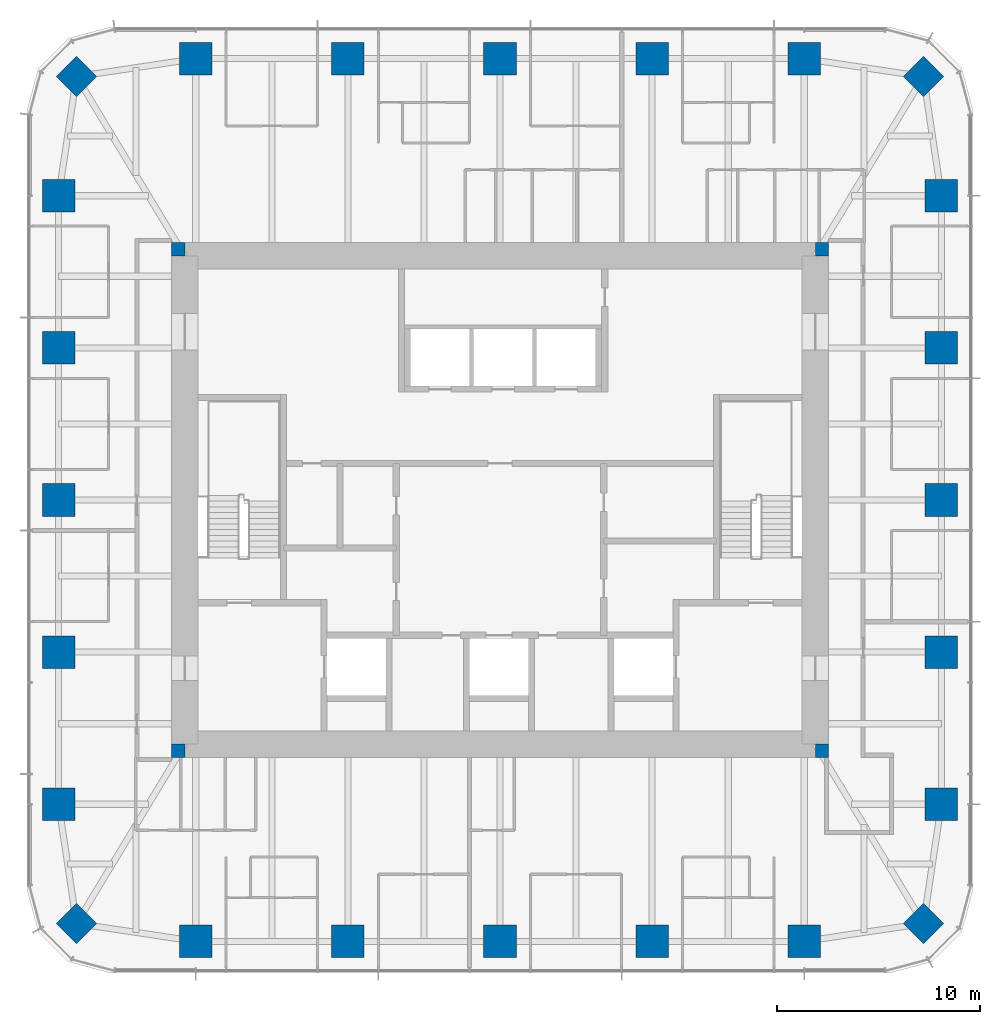
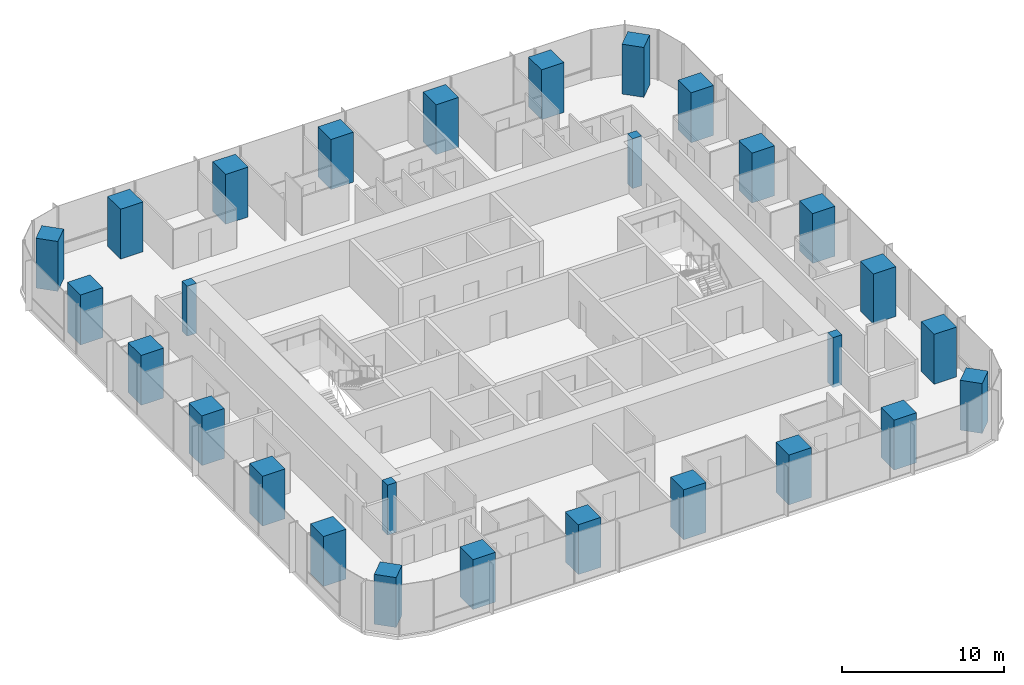
# One storey, part 1 of 12: 28 columns.
"""IFC4 building model written with IfcOpenShell, lengths in metres."""

import ifcopenshell
import ifcopenshell.guid

model = None  # the IFC model being written
_history = None  # IfcOwnerHistory: only IFC2X3 demands one
_inside = {}  # id of a spatial element -> (the spatial element, [elements in it])
_under = {}  # id of a project, library or spatial element -> (it, [spatial elements below it])
_declared = {}  # id of a project -> (the project, [libraries it declares])
_typed = {}  # id of a type object -> (the type object, [elements of that type])
_made_of = {}  # id of a material, layer set ... -> (it, [elements and type objects made of it])


def new_model(schema):
    """Start an empty IFC model of exactly this schema.

    Asked for "IFC4X3", IfcOpenShell would pick the latest addendum, in which some entities
    have other attributes; the version numbers below select the first issue.
    IFC2X3 requires an IfcOwnerHistory on every rooted entity: one is made here for all.
    """
    global model, _history
    if schema == "IFC4X3":
        model = ifcopenshell.file(schema_version=(4, 3, 0, 0))
    else:
        model = ifcopenshell.file(schema=schema)
    _inside.clear()
    _under.clear()
    _declared.clear()
    _typed.clear()
    _made_of.clear()
    _history = None
    if model.schema == "IFC2X3":
        org = make("IfcOrganization", Name="unknown")
        user = make(
            "IfcPersonAndOrganization",
            ThePerson=make("IfcPerson", FamilyName="unknown"),
            TheOrganization=org,
        )
        app = make(
            "IfcApplication",
            ApplicationDeveloper=org,
            Version="unknown",
            ApplicationFullName="unknown",
            ApplicationIdentifier="unknown",
        )
        _history = make(
            "IfcOwnerHistory",
            OwningUser=user,
            OwningApplication=app,
            ChangeAction="ADDED",
            CreationDate=0,
        )
    return model


def make(cls, **values):
    """One entity of the class cls with the attributes given. An attribute that is None is left unset."""
    return model.create_entity(
        cls, **{name: value for name, value in values.items() if value is not None}
    )


def rooted(cls, **values):
    """An entity with a GlobalId (a new one), such as an element, a storey or a relation."""
    return make(cls, GlobalId=ifcopenshell.guid.new(), OwnerHistory=_history, **values)


def si_unit(unit_type, name, prefix=None):
    """IfcSIUnit, for example si_unit("LENGTHUNIT", "METRE", prefix="MILLI")."""
    return make("IfcSIUnit", UnitType=unit_type, Prefix=prefix, Name=name)


def assignment(units):
    """IfcUnitAssignment: the units of a project."""
    return None if units is None else make("IfcUnitAssignment", Units=units)


def point(xyz):
    """IfcCartesianPoint."""
    return None if xyz is None else make("IfcCartesianPoint", Coordinates=xyz)


def direction(xyz):
    """IfcDirection."""
    return None if xyz is None else make("IfcDirection", DirectionRatios=xyz)


def frame(location, z_axis=None, x_axis=None):
    """IfcAxis2Placement3D, a coordinate frame: its origin and axes. An axis left out is left unset."""
    return make(
        "IfcAxis2Placement3D",
        Location=point(location),
        Axis=direction(z_axis),
        RefDirection=direction(x_axis),
    )


def frame_2d(location, x_axis=None):
    """IfcAxis2Placement2D, a coordinate frame in the plane: its origin and x axis."""
    return make(
        "IfcAxis2Placement2D", Location=point(location), RefDirection=direction(x_axis)
    )


def origin():
    """The frame at (0, 0, 0) with its axes left unset."""
    return frame((0.0, 0.0, 0.0))


def origin_2d():
    """The frame at (0, 0) in the plane with its x axis left unset."""
    return frame_2d((0.0, 0.0))


def place(relative_to, where):
    """IfcLocalPlacement: puts the frame where relative to a parent placement (None: the world)."""
    return make(
        "IfcLocalPlacement", PlacementRelTo=relative_to, RelativePlacement=where
    )


def context(
    kind, dimensions, precision=None, world=None, true_north=None, identifier=None
):
    """IfcGeometricRepresentationContext, for example the 3D "Model" context."""
    return make(
        "IfcGeometricRepresentationContext",
        ContextIdentifier=identifier,
        ContextType=kind,
        CoordinateSpaceDimension=dimensions,
        Precision=precision,
        WorldCoordinateSystem=world,
        TrueNorth=true_north,
    )


def subcontext(parent, identifier, kind, view, scale=None):
    """IfcGeometricRepresentationSubContext, for example "Body" below "Model"."""
    return make(
        "IfcGeometricRepresentationSubContext",
        ContextIdentifier=identifier,
        ContextType=kind,
        ParentContext=parent,
        TargetScale=scale,
        TargetView=view,
    )


def project(units=None, contexts=None):
    """IfcProject with its units and contexts."""
    return rooted(
        "IfcProject",
        Name="project",
        RepresentationContexts=contexts,
        UnitsInContext=assignment(units),
    )


def spatial(cls, under=None, at=None, **own):
    """A site, building, storey or space (cls), placed at a placement, below another one or the project."""
    s = rooted(cls, ObjectPlacement=at, **own)
    if under is not None:
        _under.setdefault(under.id(), (under, []))[1].append(s)
    return s


def profile(cls, at=None, kind="AREA", **sizes):
    """A parametric profile (cls). Its sizes go by their IFC names, for example OverallWidth=200.0."""
    return make(cls, ProfileType=kind, Position=at, **sizes)


def rectangle(**sizes):
    """IfcRectangleProfileDef."""
    return profile("IfcRectangleProfileDef", **sizes)


def extrude(swept, where, along, depth):
    """IfcExtrudedAreaSolid: the profile swept, set in the frame where, extruded along a direction by depth."""
    return make(
        "IfcExtrudedAreaSolid",
        SweptArea=swept,
        Position=where,
        ExtrudedDirection=direction(along),
        Depth=depth,
    )


def shape(context_of_items, identifier, shape_type, items):
    """IfcShapeRepresentation: the items that make up one representation, for example the "Body"."""
    return make(
        "IfcShapeRepresentation",
        ContextOfItems=context_of_items,
        RepresentationIdentifier=identifier,
        RepresentationType=shape_type,
        Items=items,
    )


def material(Name=None, Category=None):
    """IfcMaterial."""
    return make("IfcMaterial", Name=Name, Category=Category)


def material_profile(
    of_material, cross_section, Name=None, Category=None, Priority=None
):
    """IfcMaterialProfile: a cross section and its material."""
    return make(
        "IfcMaterialProfile",
        Name=Name,
        Material=of_material,
        Profile=cross_section,
        Priority=Priority,
        Category=Category,
    )


def profile_set(profiles, Name=None, composite=None):
    """IfcMaterialProfileSet."""
    return make(
        "IfcMaterialProfileSet",
        Name=Name,
        MaterialProfiles=profiles,
        CompositeProfile=composite,
    )


def made_of(thing, what):
    """Note that an element or type object is made of a material, layer set ...; save() writes the relation."""
    if what is not None:
        _made_of.setdefault(what.id(), (what, []))[1].append(thing)
    return thing


def type_object(cls, material=None, **own):
    """A type object (cls), such as IfcWallType, which elements share."""
    return made_of(rooted(cls, **own), material)


def element(
    cls,
    number,
    at=None,
    inside=None,
    cuts=None,
    type_object=None,
    material=None,
    context=None,
    identifier="Body",
    shape_type=None,
    held_by="IfcProductDefinitionShape",
    body=None,
    shapes=None,
    **own,
):
    """One element of the class cls, such as IfcWall. Its Tag is "e" and its number.

    at: its placement. inside: the storey or other place that contains it. cuts: it is an
    opening in that element (IfcRelVoidsElement). A single representation is given by context,
    identifier, shape_type and body (its items); several are given by shapes. held_by: the class
    of the entity that holds the representations. save() writes the other relations.
    """
    e = rooted(cls, Tag="e%d" % number, ObjectPlacement=at, **own)
    if body is not None:
        shapes = [shape(context, identifier, shape_type, body)]
    if shapes is not None:
        e.Representation = make(held_by, Representations=shapes)
    if inside is not None:
        _inside.setdefault(inside.id(), (inside, []))[1].append(e)
    if cuts is not None:
        rooted(
            "IfcRelVoidsElement", RelatingBuildingElement=cuts, RelatedOpeningElement=e
        )
    if type_object is not None:
        _typed.setdefault(type_object.id(), (type_object, []))[1].append(e)
    return made_of(e, material)


def aggregate(whole, parts):
    """IfcRelAggregates: a whole, such as a stair, and the parts it consists of."""
    return rooted("IfcRelAggregates", RelatingObject=whole, RelatedObjects=parts)


def save(model, path):
    """Write the relations noted so far, then the file.

    IfcRelAggregates (storeys below a building ...), IfcRelContainedInSpatialStructure (elements
    in a storey), IfcRelDefinesByType, IfcRelAssociatesMaterial and IfcRelDeclares: one each for
    every whole, place, type object, material and project.
    """
    for whole, parts in _under.values():
        aggregate(whole, parts)
    for where, things in _inside.values():
        rooted(
            "IfcRelContainedInSpatialStructure",
            RelatedElements=things,
            RelatingStructure=where,
        )
    for kind, things in _typed.values():
        rooted("IfcRelDefinesByType", RelatedObjects=things, RelatingType=kind)
    for what, things in _made_of.values():
        rooted("IfcRelAssociatesMaterial", RelatedObjects=things, RelatingMaterial=what)
    for by, libraries in _declared.values():
        rooted("IfcRelDeclares", RelatingContext=by, RelatedDefinitions=libraries)
    model.write(path)


model = new_model("IFC4")

# Units and contexts
model_context = context("Model", 3, precision=1e-05, world=origin(), true_north=direction((0.0, 1.0)))
body_context = subcontext(model_context, "Body", "Model", "MODEL_VIEW")
ifc_project = project(units=[si_unit("LENGTHUNIT", "METRE"), si_unit("AREAUNIT", "SQUARE_METRE"), si_unit("VOLUMEUNIT", "CUBIC_METRE"), si_unit("PLANEANGLEUNIT", "RADIAN"), si_unit("MASSUNIT", "GRAM", prefix="KILO")], contexts=[model_context])

# Site, building, storey
site_placement = place(None, origin())
site = spatial("IfcSite", under=ifc_project, at=site_placement, CompositionType="ELEMENT")
building_placement = place(site_placement, origin())
building = spatial("IfcBuilding", under=site, at=building_placement, Name="Khuree Lantern Residences", CompositionType="ELEMENT")
storey_placement = place(building_placement, frame((0.0, 0.0, 330.75)))
storey = spatial("IfcBuildingStorey", under=building, at=storey_placement, Name="L83", CompositionType="ELEMENT", Elevation=330.75)

# Columns
ifc_material_1 = material(Name="Concrete C70/85", Category="concrete")
ifc_material_profile_1 = material_profile(ifc_material_1, rectangle(XDim=1.39990234375, YDim=1.39990234375, at=origin_2d()), Name="RC 1400X1400")
ifc_profile_set_1 = profile_set([ifc_material_profile_1], Name="Concrete C70/85")
column_type_1 = type_object("IfcColumnType", Name="CC1400 PERIMETER CORNER COLUMN RC 1400X1400", PredefinedType="COLUMN", material=ifc_profile_set_1)
for number, where, z_axis, x_axis, name in (
    (1, (20.8212890625, 20.8212890625, 0.0), (0.0, 0.0, 1.0), (0.707106781187, -0.707106781187, 0.0), "Perimeter column NE"),
    (2, (20.8212890625, -20.8212890625, 0.0), (0.0, 0.0, 1.0), (0.707106781187, 0.707106781187, 0.0), "Perimeter column SE"),
    (3, (-20.8212890625, -20.8212890625, 0.0), (0.0, 0.0, 1.0), (0.707106781187, -0.707106781187, 0.0), "Perimeter column SW"),
    (4, (-20.8212890625, 20.8212890625, 0.0), (0.0, 0.0, 1.0), (0.707106781187, 0.707106781187, 0.0), "Perimeter column NW"),
):
    element("IfcColumn", number, at=place(storey_placement, frame(where, z_axis=z_axis, x_axis=x_axis)), inside=storey, type_object=column_type_1, Name=name, PredefinedType="COLUMN", context=body_context, shape_type="SweptSolid", body=[
        extrude(rectangle(XDim=1.39990234375, YDim=1.39990234375, at=origin_2d()), origin(), (0.0, 0.0, 1.0), 3.75),
    ])
ifc_material_2 = material(Name="Concrete C50/60", Category="concrete")
ifc_material_profile_2 = material_profile(ifc_material_2, rectangle(XDim=0.64990234375, YDim=0.64990234375, at=origin_2d()), Name="RC 650X650")
ifc_profile_set_2 = profile_set([ifc_material_profile_2], Name="Concrete C50/60")
column_type_2 = type_object("IfcColumnType", Name="CP650-C50 CORE CORNER PIER C50 RC 650X650", PredefinedType="COLUMN", material=ifc_profile_set_2)
for number, where, z_axis, x_axis, name in (
    (5, (15.824951171875, 12.324951171875, -0.25), (0.0, 0.0, 1.0), (1.0, 0.0, 0.0), "Core corner pier NE"),
    (6, (-15.824951171875, 12.324951171875, -0.25), (0.0, 0.0, 1.0), (1.0, 0.0, 0.0), "Core corner pier NW"),
    (7, (-15.824951171875, -12.324951171875, -0.25), (0.0, 0.0, 1.0), (1.0, 0.0, 0.0), "Core corner pier SW"),
    (8, (15.824951171875, -12.324951171875, -0.25), (0.0, 0.0, 1.0), (1.0, 0.0, 0.0), "Core corner pier SE"),
):
    element("IfcColumn", number, at=place(storey_placement, frame(where, z_axis=z_axis, x_axis=x_axis)), inside=storey, type_object=column_type_2, Name=name, PredefinedType="COLUMN", context=body_context, shape_type="SweptSolid", body=[
        extrude(rectangle(XDim=0.64990234375, YDim=0.64990234375, at=origin_2d()), origin(), (0.0, 0.0, 1.0), 3.75),
    ])
ifc_material_profile_3 = material_profile(ifc_material_1, rectangle(XDim=1.60009765625, YDim=1.60009765625, at=origin_2d()), Name="RC 1600X1600")
ifc_profile_set_3 = profile_set([ifc_material_profile_3], Name="Concrete C70/85")
column_type_3 = type_object("IfcColumnType", Name="PC5 PERIMETER COLUMN RC 1600X1600", PredefinedType="COLUMN", material=ifc_profile_set_3)
for number, where, z_axis, x_axis, name in (
    (9, (-14.9599609375, 21.699951171875, 0.0), (0.0, 0.0, 1.0), (1.0, 0.0, 0.0), "Perimeter column N1"),
    (10, (-7.47998046875, 21.699951171875, 0.0), (0.0, 0.0, 1.0), (1.0, 0.0, 0.0), "Perimeter column N2"),
    (11, (0.0, 21.699951171875, 0.0), (0.0, 0.0, 1.0), (1.0, 0.0, 0.0), "Perimeter column N3"),
    (12, (7.47998046875, 21.699951171875, 0.0), (0.0, 0.0, 1.0), (1.0, 0.0, 0.0), "Perimeter column N4"),
    (13, (14.9599609375, 21.699951171875, 0.0), (0.0, 0.0, 1.0), (1.0, 0.0, 0.0), "Perimeter column N5"),
    (14, (21.699951171875, 14.9599609375, 0.0), (0.0, 0.0, 1.0), (0.0, 1.0, 0.0), "Perimeter column E1"),
    (15, (21.699951171875, 7.47998046875, 0.0), (0.0, 0.0, 1.0), (0.0, 1.0, 0.0), "Perimeter column E2"),
    (16, (21.699951171875, 0.0, 0.0), (0.0, 0.0, 1.0), (0.0, 1.0, 0.0), "Perimeter column E3"),
    (17, (21.699951171875, -7.47998046875, 0.0), (0.0, 0.0, 1.0), (0.0, 1.0, 0.0), "Perimeter column E4"),
    (18, (21.699951171875, -14.9599609375, 0.0), (0.0, 0.0, 1.0), (0.0, 1.0, 0.0), "Perimeter column E5"),
    (19, (14.9599609375, -21.699951171875, 0.0), (0.0, 0.0, 1.0), (1.0, 0.0, 0.0), "Perimeter column S1"),
    (20, (7.47998046875, -21.699951171875, 0.0), (0.0, 0.0, 1.0), (1.0, 0.0, 0.0), "Perimeter column S2"),
    (21, (0.0, -21.699951171875, 0.0), (0.0, 0.0, 1.0), (1.0, 0.0, 0.0), "Perimeter column S3"),
    (22, (-7.47998046875, -21.699951171875, 0.0), (0.0, 0.0, 1.0), (1.0, 0.0, 0.0), "Perimeter column S4"),
    (23, (-14.9599609375, -21.699951171875, 0.0), (0.0, 0.0, 1.0), (1.0, 0.0, 0.0), "Perimeter column S5"),
    (24, (-21.699951171875, -14.9599609375, 0.0), (0.0, 0.0, 1.0), (0.0, 1.0, 0.0), "Perimeter column W1"),
    (25, (-21.699951171875, -7.47998046875, 0.0), (0.0, 0.0, 1.0), (0.0, 1.0, 0.0), "Perimeter column W2"),
    (26, (-21.699951171875, 0.0, 0.0), (0.0, 0.0, 1.0), (0.0, 1.0, 0.0), "Perimeter column W3"),
    (27, (-21.699951171875, 7.47998046875, 0.0), (0.0, 0.0, 1.0), (0.0, 1.0, 0.0), "Perimeter column W4"),
    (28, (-21.699951171875, 14.9599609375, 0.0), (0.0, 0.0, 1.0), (0.0, 1.0, 0.0), "Perimeter column W5"),
):
    element("IfcColumn", number, at=place(storey_placement, frame(where, z_axis=z_axis, x_axis=x_axis)), inside=storey, type_object=column_type_3, Name=name, PredefinedType="COLUMN", context=body_context, shape_type="SweptSolid", body=[
        extrude(rectangle(XDim=1.60009765625, YDim=1.60009765625, at=origin_2d()), origin(), (0.0, 0.0, 1.0), 3.75),
    ])

save(model, "model.ifc")
